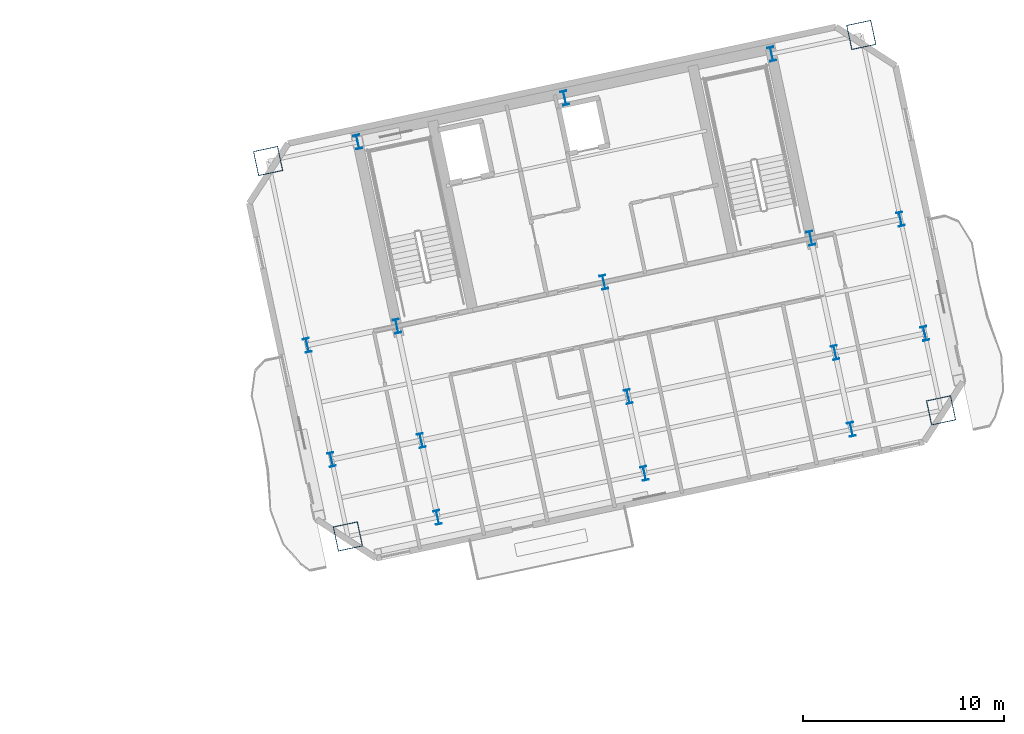
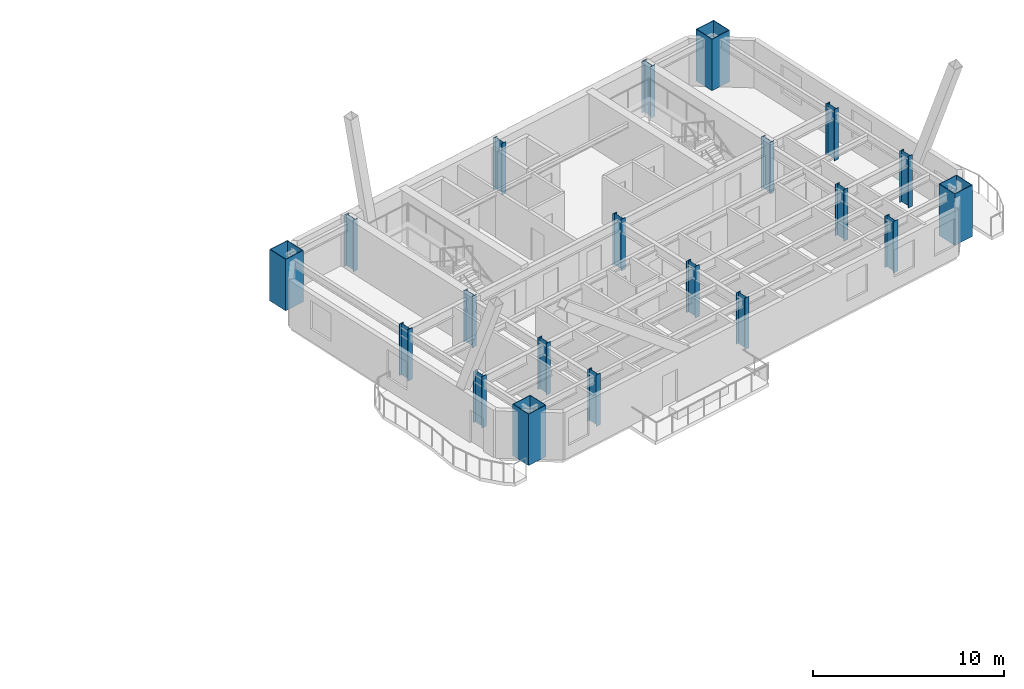
# One storey, part 2 of 13: 20 columns.
"""IFC4 building model written with IfcOpenShell, lengths in metres."""

import ifcopenshell
import ifcopenshell.guid

model = None  # the IFC model being written
_history = None  # IfcOwnerHistory: only IFC2X3 demands one
_inside = {}  # id of a spatial element -> (the spatial element, [elements in it])
_under = {}  # id of a project, library or spatial element -> (it, [spatial elements below it])
_declared = {}  # id of a project -> (the project, [libraries it declares])
_typed = {}  # id of a type object -> (the type object, [elements of that type])
_made_of = {}  # id of a material, layer set ... -> (it, [elements and type objects made of it])


def new_model(schema):
    """Start an empty IFC model of exactly this schema.

    Asked for "IFC4X3", IfcOpenShell would pick the latest addendum, in which some entities
    have other attributes; the version numbers below select the first issue.
    IFC2X3 requires an IfcOwnerHistory on every rooted entity: one is made here for all.
    """
    global model, _history
    if schema == "IFC4X3":
        model = ifcopenshell.file(schema_version=(4, 3, 0, 0))
    else:
        model = ifcopenshell.file(schema=schema)
    _inside.clear()
    _under.clear()
    _declared.clear()
    _typed.clear()
    _made_of.clear()
    _history = None
    if model.schema == "IFC2X3":
        org = make("IfcOrganization", Name="unknown")
        user = make(
            "IfcPersonAndOrganization",
            ThePerson=make("IfcPerson", FamilyName="unknown"),
            TheOrganization=org,
        )
        app = make(
            "IfcApplication",
            ApplicationDeveloper=org,
            Version="unknown",
            ApplicationFullName="unknown",
            ApplicationIdentifier="unknown",
        )
        _history = make(
            "IfcOwnerHistory",
            OwningUser=user,
            OwningApplication=app,
            ChangeAction="ADDED",
            CreationDate=0,
        )
    return model


def make(cls, **values):
    """One entity of the class cls with the attributes given. An attribute that is None is left unset."""
    return model.create_entity(
        cls, **{name: value for name, value in values.items() if value is not None}
    )


def rooted(cls, **values):
    """An entity with a GlobalId (a new one), such as an element, a storey or a relation."""
    return make(cls, GlobalId=ifcopenshell.guid.new(), OwnerHistory=_history, **values)


def si_unit(unit_type, name, prefix=None):
    """IfcSIUnit, for example si_unit("LENGTHUNIT", "METRE", prefix="MILLI")."""
    return make("IfcSIUnit", UnitType=unit_type, Prefix=prefix, Name=name)


def assignment(units):
    """IfcUnitAssignment: the units of a project."""
    return None if units is None else make("IfcUnitAssignment", Units=units)


def point(xyz):
    """IfcCartesianPoint."""
    return None if xyz is None else make("IfcCartesianPoint", Coordinates=xyz)


def direction(xyz):
    """IfcDirection."""
    return None if xyz is None else make("IfcDirection", DirectionRatios=xyz)


def frame(location, z_axis=None, x_axis=None):
    """IfcAxis2Placement3D, a coordinate frame: its origin and axes. An axis left out is left unset."""
    return make(
        "IfcAxis2Placement3D",
        Location=point(location),
        Axis=direction(z_axis),
        RefDirection=direction(x_axis),
    )


def frame_2d(location, x_axis=None):
    """IfcAxis2Placement2D, a coordinate frame in the plane: its origin and x axis."""
    return make(
        "IfcAxis2Placement2D", Location=point(location), RefDirection=direction(x_axis)
    )


def origin():
    """The frame at (0, 0, 0) with its axes left unset."""
    return frame((0.0, 0.0, 0.0))


def origin_2d():
    """The frame at (0, 0) in the plane with its x axis left unset."""
    return frame_2d((0.0, 0.0))


def place(relative_to, where):
    """IfcLocalPlacement: puts the frame where relative to a parent placement (None: the world)."""
    return make(
        "IfcLocalPlacement", PlacementRelTo=relative_to, RelativePlacement=where
    )


def context(
    kind, dimensions, precision=None, world=None, true_north=None, identifier=None
):
    """IfcGeometricRepresentationContext, for example the 3D "Model" context."""
    return make(
        "IfcGeometricRepresentationContext",
        ContextIdentifier=identifier,
        ContextType=kind,
        CoordinateSpaceDimension=dimensions,
        Precision=precision,
        WorldCoordinateSystem=world,
        TrueNorth=true_north,
    )


def subcontext(parent, identifier, kind, view, scale=None):
    """IfcGeometricRepresentationSubContext, for example "Body" below "Model"."""
    return make(
        "IfcGeometricRepresentationSubContext",
        ContextIdentifier=identifier,
        ContextType=kind,
        ParentContext=parent,
        TargetScale=scale,
        TargetView=view,
    )


def project(units=None, contexts=None):
    """IfcProject with its units and contexts."""
    return rooted(
        "IfcProject",
        Name="project",
        RepresentationContexts=contexts,
        UnitsInContext=assignment(units),
    )


def spatial(cls, under=None, at=None, **own):
    """A site, building, storey or space (cls), placed at a placement, below another one or the project."""
    s = rooted(cls, ObjectPlacement=at, **own)
    if under is not None:
        _under.setdefault(under.id(), (under, []))[1].append(s)
    return s


def profile(cls, at=None, kind="AREA", **sizes):
    """A parametric profile (cls). Its sizes go by their IFC names, for example OverallWidth=200.0."""
    return make(cls, ProfileType=kind, Position=at, **sizes)


def hollow_rectangle(**sizes):
    """IfcRectangleHollowProfileDef."""
    return profile("IfcRectangleHollowProfileDef", **sizes)


def i_section(**sizes):
    """IfcIShapeProfileDef."""
    return profile("IfcIShapeProfileDef", **sizes)


def extrude(swept, where, along, depth):
    """IfcExtrudedAreaSolid: the profile swept, set in the frame where, extruded along a direction by depth."""
    return make(
        "IfcExtrudedAreaSolid",
        SweptArea=swept,
        Position=where,
        ExtrudedDirection=direction(along),
        Depth=depth,
    )


def shape(context_of_items, identifier, shape_type, items):
    """IfcShapeRepresentation: the items that make up one representation, for example the "Body"."""
    return make(
        "IfcShapeRepresentation",
        ContextOfItems=context_of_items,
        RepresentationIdentifier=identifier,
        RepresentationType=shape_type,
        Items=items,
    )


def material(Name=None, Category=None):
    """IfcMaterial."""
    return make("IfcMaterial", Name=Name, Category=Category)


def material_profile(
    of_material, cross_section, Name=None, Category=None, Priority=None
):
    """IfcMaterialProfile: a cross section and its material."""
    return make(
        "IfcMaterialProfile",
        Name=Name,
        Material=of_material,
        Profile=cross_section,
        Priority=Priority,
        Category=Category,
    )


def profile_set(profiles, Name=None, composite=None):
    """IfcMaterialProfileSet."""
    return make(
        "IfcMaterialProfileSet",
        Name=Name,
        MaterialProfiles=profiles,
        CompositeProfile=composite,
    )


def made_of(thing, what):
    """Note that an element or type object is made of a material, layer set ...; save() writes the relation."""
    if what is not None:
        _made_of.setdefault(what.id(), (what, []))[1].append(thing)
    return thing


def type_object(cls, material=None, **own):
    """A type object (cls), such as IfcWallType, which elements share."""
    return made_of(rooted(cls, **own), material)


def element(
    cls,
    number,
    at=None,
    inside=None,
    cuts=None,
    type_object=None,
    material=None,
    context=None,
    identifier="Body",
    shape_type=None,
    held_by="IfcProductDefinitionShape",
    body=None,
    shapes=None,
    **own,
):
    """One element of the class cls, such as IfcWall. Its Tag is "e" and its number.

    at: its placement. inside: the storey or other place that contains it. cuts: it is an
    opening in that element (IfcRelVoidsElement). A single representation is given by context,
    identifier, shape_type and body (its items); several are given by shapes. held_by: the class
    of the entity that holds the representations. save() writes the other relations.
    """
    e = rooted(cls, Tag="e%d" % number, ObjectPlacement=at, **own)
    if body is not None:
        shapes = [shape(context, identifier, shape_type, body)]
    if shapes is not None:
        e.Representation = make(held_by, Representations=shapes)
    if inside is not None:
        _inside.setdefault(inside.id(), (inside, []))[1].append(e)
    if cuts is not None:
        rooted(
            "IfcRelVoidsElement", RelatingBuildingElement=cuts, RelatedOpeningElement=e
        )
    if type_object is not None:
        _typed.setdefault(type_object.id(), (type_object, []))[1].append(e)
    return made_of(e, material)


def aggregate(whole, parts):
    """IfcRelAggregates: a whole, such as a stair, and the parts it consists of."""
    return rooted("IfcRelAggregates", RelatingObject=whole, RelatedObjects=parts)


def save(model, path):
    """Write the relations noted so far, then the file.

    IfcRelAggregates (storeys below a building ...), IfcRelContainedInSpatialStructure (elements
    in a storey), IfcRelDefinesByType, IfcRelAssociatesMaterial and IfcRelDeclares: one each for
    every whole, place, type object, material and project.
    """
    for whole, parts in _under.values():
        aggregate(whole, parts)
    for where, things in _inside.values():
        rooted(
            "IfcRelContainedInSpatialStructure",
            RelatedElements=things,
            RelatingStructure=where,
        )
    for kind, things in _typed.values():
        rooted("IfcRelDefinesByType", RelatedObjects=things, RelatingType=kind)
    for what, things in _made_of.values():
        rooted("IfcRelAssociatesMaterial", RelatedObjects=things, RelatingMaterial=what)
    for by, libraries in _declared.values():
        rooted("IfcRelDeclares", RelatingContext=by, RelatedDefinitions=libraries)
    model.write(path)


model = new_model("IFC4")

# Units and contexts
model_context = context("Model", 3, precision=1e-05, world=origin(), true_north=direction((0.0, 1.0)))
body_context = subcontext(model_context, "Body", "Model", "MODEL_VIEW")
ifc_project = project(units=[si_unit("LENGTHUNIT", "METRE"), si_unit("AREAUNIT", "SQUARE_METRE"), si_unit("VOLUMEUNIT", "CUBIC_METRE"), si_unit("PLANEANGLEUNIT", "RADIAN"), si_unit("MASSUNIT", "GRAM", prefix="KILO")], contexts=[model_context])

# Site, building, storey
site_placement = place(None, origin())
site = spatial("IfcSite", under=ifc_project, at=site_placement, CompositionType="ELEMENT")
building_placement = place(site_placement, origin())
building = spatial("IfcBuilding", under=site, at=building_placement, Name="Haevon Station Towers", CompositionType="ELEMENT")
storey_placement = place(building_placement, frame((0.0, 0.0, 146.10009765625)))
storey = spatial("IfcBuildingStorey", under=building, at=storey_placement, Name="L39", CompositionType="ELEMENT", Elevation=146.10009765625)

# Columns
ifc_material_1 = material(Name="Steel S460", Category="steel")
ifc_material_profile_1 = material_profile(ifc_material_1, hollow_rectangle(XDim=1.25, YDim=1.25, WallThickness=0.034912109375, at=origin_2d()), Name="BOX-1250x1250x35")
ifc_profile_set_1 = profile_set([ifc_material_profile_1], Name="Steel S460")
column_type_1 = type_object("IfcColumnType", Name="COL-MC4", PredefinedType="COLUMN", material=ifc_profile_set_1)
for number, where, z_axis, x_axis, name in (
    (1, (96.318603515625, 27.00830078125, 0.0), (0.0, 0.0, 1.0), (0.978147600734, 0.207911690818, 0.0), "COL-T2-L39-01-01"),
    (2, (92.35791015625, 45.64208984375, 0.0), (0.0, 0.0, 1.0), (0.978147600734, 0.207911690818, 0.0), "COL-T2-L39-01-04"),
    (3, (125.7607421875, 33.2666015625, 0.0), (0.0, 0.0, 1.0), (0.978147600734, 0.207911690818, 0.0), "COL-T2-L39-05-01"),
    (4, (121.800048828125, 51.900146484375, 0.0), (0.0, 0.0, 1.0), (0.978147600734, 0.207911690818, 0.0), "COL-T2-L39-05-04"),
):
    element("IfcColumn", number, at=place(storey_placement, frame(where, z_axis=z_axis, x_axis=x_axis)), inside=storey, type_object=column_type_1, Name=name, PredefinedType="COLUMN", context=body_context, shape_type="SweptSolid", body=[
        extrude(hollow_rectangle(XDim=1.25, YDim=1.25, WallThickness=0.034912109375, at=origin_2d()), origin(), (0.0, 0.0, 1.0), 3.2998046875),
    ])
ifc_material_2 = material(Name="Steel S355", Category="steel")
ifc_material_profile_2 = material_profile(ifc_material_2, i_section(OverallWidth=0.300048828125, OverallDepth=0.699951171875, WebThickness=0.01611328125, FlangeThickness=0.028076171875, at=origin_2d()), Name="H-700x300x16x28")
ifc_profile_set_2 = profile_set([ifc_material_profile_2], Name="Steel S355")
column_type_2 = type_object("IfcColumnType", Name="COL-TW3", PredefinedType="COLUMN", material=ifc_profile_set_2)
for number, where, z_axis, x_axis, name in (
    (5, (95.507568359375, 30.8232421875, 0.0), (0.0, 0.0, 1.0), (0.978147600734, 0.207911690818, 0.0), "COL-T2-L39-01-02"),
    (6, (94.3017578125, 36.496337890625, 0.0), (0.0, 0.0, 1.0), (0.978147600734, 0.207911690818, 0.0), "COL-T2-L39-01-03"),
    (7, (100.76904296875, 27.954345703125, 0.0), (0.0, 0.0, 1.0), (0.978147600734, 0.207911690818, 0.0), "COL-T2-L39-02-01"),
    (8, (99.958251953125, 31.76904296875, 0.0), (0.0, 0.0, 1.0), (0.978147600734, 0.207911690818, 0.0), "COL-T2-L39-02-02"),
    (9, (98.75244140625, 37.4423828125, 0.0), (0.0, 0.0, 1.0), (0.978147600734, 0.207911690818, 0.0), "COL-T2-L39-02-03"),
    (10, (96.808349609375, 46.588134765625, 0.0), (0.0, 0.0, 1.0), (0.978147600734, 0.207911690818, 0.0), "COL-T2-L39-02-04"),
    (11, (111.03955078125, 30.137451171875, 0.0), (0.0, 0.0, 1.0), (0.978147600734, 0.207911690818, 0.0), "COL-T2-L39-03-01"),
    (12, (110.228759765625, 33.9521484375, 0.0), (0.0, 0.0, 1.0), (0.978147600734, 0.207911690818, 0.0), "COL-T2-L39-03-02"),
    (13, (109.02294921875, 39.62548828125, 0.0), (0.0, 0.0, 1.0), (0.978147600734, 0.207911690818, 0.0), "COL-T2-L39-03-03"),
    (14, (107.078857421875, 48.771240234375, 0.0), (0.0, 0.0, 1.0), (0.978147600734, 0.207911690818, 0.0), "COL-T2-L39-03-04"),
    (15, (121.310302734375, 32.320556640625, 0.0), (0.0, 0.0, 1.0), (0.978147600734, 0.207911690818, 0.0), "COL-T2-L39-04-01"),
    (16, (120.499267578125, 36.13525390625, 0.0), (0.0, 0.0, 1.0), (0.978147600734, 0.207911690818, 0.0), "COL-T2-L39-04-02"),
    (17, (119.29345703125, 41.80859375, 0.0), (0.0, 0.0, 1.0), (0.978147600734, 0.207911690818, 0.0), "COL-T2-L39-04-03"),
    (18, (117.349365234375, 50.954345703125, 0.0), (0.0, 0.0, 1.0), (0.978147600734, 0.207911690818, 0.0), "COL-T2-L39-04-04"),
    (19, (124.949951171875, 37.081298828125, 0.0), (0.0, 0.0, 1.0), (0.978147600734, 0.207911690818, 0.0), "COL-T2-L39-05-02"),
    (20, (123.744140625, 42.754638671875, 0.0), (0.0, 0.0, 1.0), (0.978147600734, 0.207911690818, 0.0), "COL-T2-L39-05-03"),
):
    element("IfcColumn", number, at=place(storey_placement, frame(where, z_axis=z_axis, x_axis=x_axis)), inside=storey, type_object=column_type_2, Name=name, PredefinedType="COLUMN", context=body_context, shape_type="SweptSolid", body=[
        extrude(i_section(OverallWidth=0.300048828125, OverallDepth=0.699951171875, WebThickness=0.01611328125, FlangeThickness=0.028076171875, at=origin_2d()), origin(), (0.0, 0.0, 1.0), 3.2998046875),
    ])

save(model, "model.ifc")
